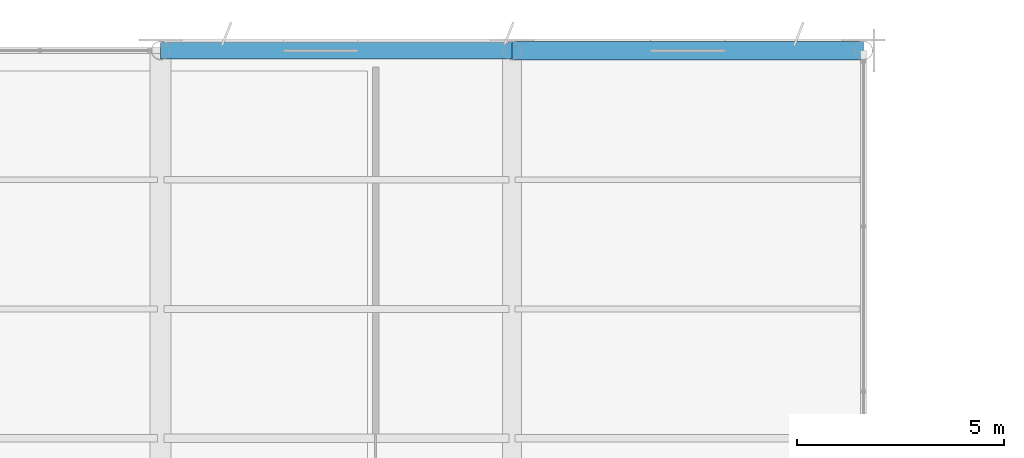
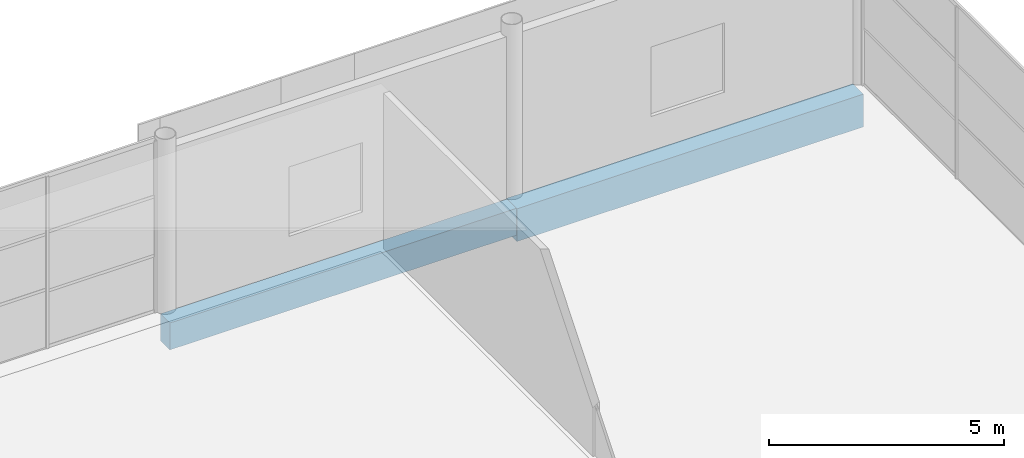
# One storey, part 46 of 112: 2 beams.
"""IFC4 building model written with IfcOpenShell, lengths in metres."""

from ifc_helpers import new_model, si_unit, direction, frame, origin, origin_2d, place, context, subcontext, project, spatial, rectangle, extrude, material, material_profile, profile_set, type_object, element, save


model = new_model("IFC4")

# Units and contexts
model_context = context("Model", 3, precision=1e-05, world=origin(), true_north=direction((0.0, 1.0)))
body_context = subcontext(model_context, "Body", "Model", "MODEL_VIEW")
ifc_project = project(units=[si_unit("LENGTHUNIT", "METRE"), si_unit("AREAUNIT", "SQUARE_METRE"), si_unit("VOLUMEUNIT", "CUBIC_METRE"), si_unit("PLANEANGLEUNIT", "RADIAN"), si_unit("MASSUNIT", "GRAM", prefix="KILO")], contexts=[model_context])

# Site, building, storey
site_placement = place(None, origin())
site = spatial("IfcSite", under=ifc_project, at=site_placement, CompositionType="ELEMENT")
building_placement = place(site_placement, origin())
building = spatial("IfcBuilding", under=site, at=building_placement, Name="Solvikara Media Centre", CompositionType="ELEMENT")
storey_placement = place(building_placement, frame((0.0, 0.0, 5.39990234375)))
storey = spatial("IfcBuildingStorey", under=building, at=storey_placement, Name="L01", CompositionType="ELEMENT", Elevation=5.39990234375)

# Beams
ifc_material = material(Name="Concrete fc' 35 MPa (C35/45)", Category="concrete")
ifc_material_profile_1 = material_profile(ifc_material, rectangle(XDim=0.39990234375, YDim=0.699951171875, at=origin_2d()), Name="RC 400x700")
ifc_profile_set_1 = profile_set([ifc_material_profile_1], Name="Concrete fc' 35 MPa (C35/45)")
beam_type_1 = type_object("IfcBeamType", Name="BM-13", PredefinedType="SPANDREL", material=ifc_profile_set_1)
beam_1_placement = place(storey_placement, frame((17.0, 114.0, -0.60986328125), z_axis=(1.0, 0.0, 0.0), x_axis=(0.0, 1.0, 0.0)))
element("IfcBeam", 1, at=beam_1_placement, inside=storey, type_object=beam_type_1, Name="B-L01-X0529", PredefinedType="SPANDREL", context=body_context, shape_type="SweptSolid", body=[
    extrude(rectangle(XDim=0.39990234375, YDim=0.699951171875, at=origin_2d()), origin(), (0.0, 0.0, 1.0), 8.5),
])
ifc_material_profile_2 = material_profile(ifc_material, rectangle(XDim=0.449951171875, YDim=0.85009765625, at=origin_2d()), Name="RC 450x850")
ifc_profile_set_2 = profile_set([ifc_material_profile_2], Name="Concrete fc' 35 MPa (C35/45)")
beam_type_2 = type_object("IfcBeamType", Name="BM-14", PredefinedType="SPANDREL", material=ifc_profile_set_2)
beam_2_placement = place(storey_placement, frame((25.5, 114.0, -0.684814453125), z_axis=(1.0, 0.0, 0.0), x_axis=(0.0, 1.0, 0.0)))
element("IfcBeam", 2, at=beam_2_placement, inside=storey, type_object=beam_type_2, Name="B-L01-X0530", PredefinedType="SPANDREL", context=body_context, shape_type="SweptSolid", body=[
    extrude(rectangle(XDim=0.449951171875, YDim=0.85009765625, at=origin_2d()), origin(), (0.0, 0.0, 1.0), 8.5),
])

save(model, "model.ifc")
